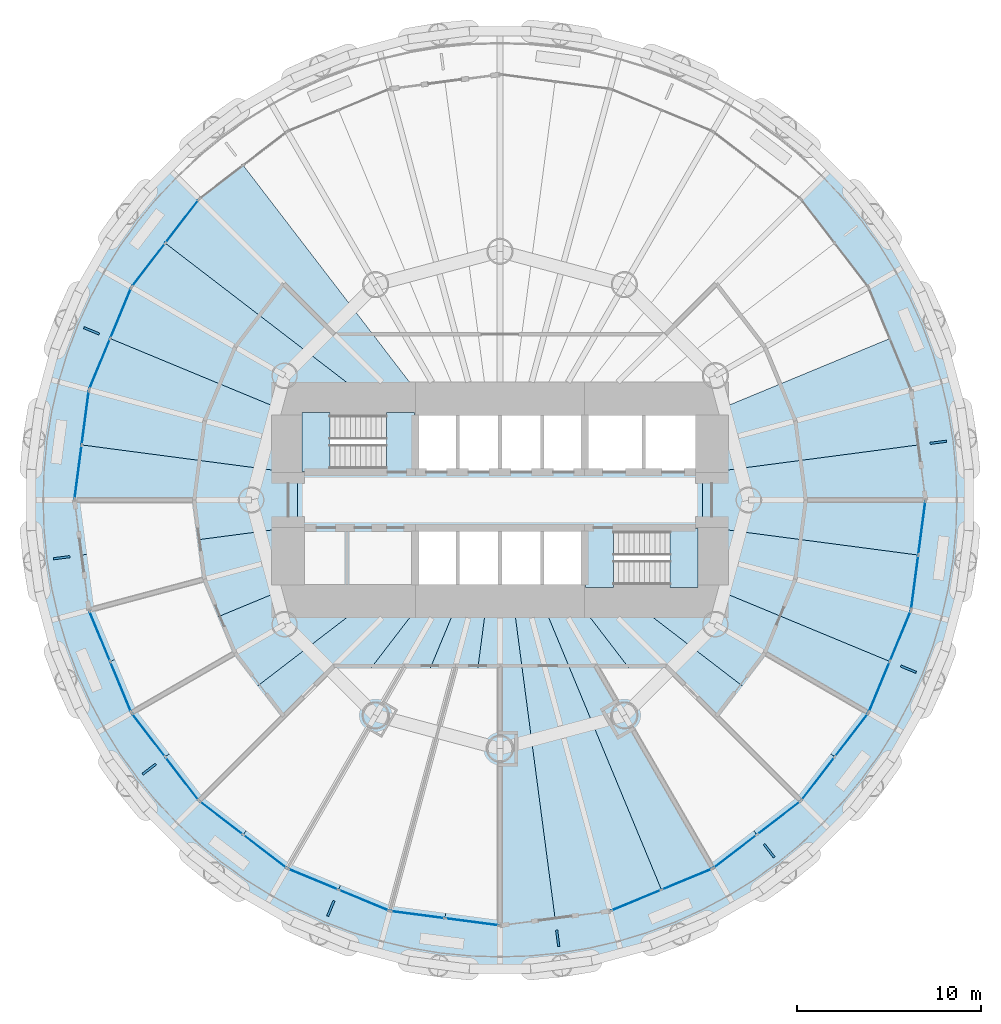
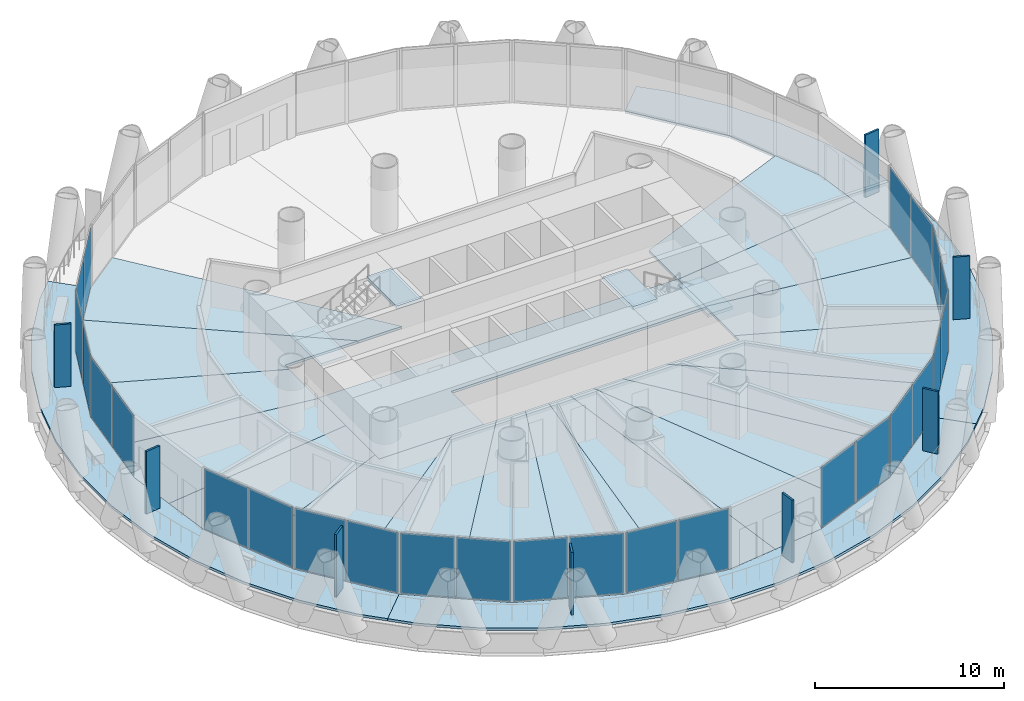
# One storey, part 8 of 16: 34 plates, 25 slabs, 15 elements without a shape of their own.
"""IFC4 building model written with IfcOpenShell, lengths in metres."""

from ifc_helpers import new_model, si_unit, direction, frame, origin, origin_2d, place, context, subcontext, project, spatial, polyline, rectangle, outline, extrude, material, layer, layer_set, type_object, element, aggregate, save


model = new_model("IFC4")

# Units and contexts
model_context = context("Model", 3, precision=1e-05, world=origin(), true_north=direction((0.0, 1.0)))
body_context = subcontext(model_context, "Body", "Model", "MODEL_VIEW")
ifc_project = project(units=[si_unit("LENGTHUNIT", "METRE"), si_unit("AREAUNIT", "SQUARE_METRE"), si_unit("VOLUMEUNIT", "CUBIC_METRE"), si_unit("PLANEANGLEUNIT", "RADIAN"), si_unit("MASSUNIT", "GRAM", prefix="KILO")], contexts=[model_context])

# Site, building, storey
site_placement = place(None, origin())
site = spatial("IfcSite", under=ifc_project, at=site_placement, CompositionType="ELEMENT")
building_placement = place(site_placement, origin())
building = spatial("IfcBuilding", under=site, at=building_placement, Name="Qaws Media Tower", CompositionType="ELEMENT")
storey_placement = place(building_placement, frame((0.0, 0.0, 80.60009765625)))
storey = spatial("IfcBuildingStorey", under=building, at=storey_placement, Name="L17", CompositionType="ELEMENT", Elevation=80.60009765625)

# Slabs
ifc_material_1 = material(Name="Concrete C35/45", Category="concrete")
ifc_layer_1 = layer(ifc_material_1, 0.159912109375)
ifc_layer_set_1 = layer_set([ifc_layer_1], Name="Composite balcony slab 160")
slab_type_1 = type_object("IfcSlabType", Name="Composite balcony slab 160", PredefinedType="FLOOR", material=ifc_layer_set_1)
slab_1_placement = place(storey_placement, frame((0.0, 0.0, -0.16015625)))
element("IfcSlab", 1, at=slab_1_placement, inside=storey, type_object=slab_type_1, Name="S2 balcony slab L17 R10 to R16, movement joints on R10 and R16", PredefinedType="FLOOR", context=body_context, shape_type="SweptSolid", body=[
    extrude(outline(polyline([(40.828125, 33.186767578125), (38.797607421875, 35.8330078125), (37.129638671875, 38.7216796875), (35.853271484375, 41.80322265625), (34.989990234375, 45.025146484375), (34.5546875, 48.332275390625), (34.5546875, 51.667724609375), (34.989990234375, 54.974853515625), (35.853271484375, 58.19677734375), (37.129638671875, 61.2783203125), (38.797607421875, 64.1669921875), (40.828125, 66.813232421875), (42.00732421875, 67.99267578125), (43.665771484375, 66.334228515625), (39.994873046875, 61.550048828125), (37.68701171875, 55.978759765625), (36.89990234375, 50.0), (37.68701171875, 44.021240234375), (39.994873046875, 38.449951171875), (43.665771484375, 33.665771484375), (42.00732421875, 32.00732421875), (40.828125, 33.186767578125)])), origin(), (0.0, 0.0, 1.0), 0.16015625),
])
slab_2_placement = place(storey_placement, frame((0.0, 0.0, -0.16015625)))
element("IfcSlab", 2, at=slab_2_placement, inside=storey, type_object=slab_type_1, Name="S2 balcony slab L17 R16 to R22, movement joints on R16 and R22", PredefinedType="FLOOR", context=body_context, shape_type="SweptSolid", body=[
    extrude(outline(polyline([(76.813232421875, 30.828125), (74.1669921875, 28.797607421875), (71.2783203125, 27.129638671875), (68.19677734375, 25.853271484375), (64.974853515625, 24.989990234375), (61.667724609375, 24.5546875), (58.332275390625, 24.5546875), (55.025146484375, 24.989990234375), (51.80322265625, 25.853271484375), (48.7216796875, 27.129638671875), (45.8330078125, 28.797607421875), (43.186767578125, 30.828125), (42.00732421875, 32.00732421875), (43.665771484375, 33.665771484375), (48.449951171875, 29.994873046875), (54.021240234375, 27.68701171875), (60.0, 26.89990234375), (65.978759765625, 27.68701171875), (71.550048828125, 29.994873046875), (76.334228515625, 33.665771484375), (77.99267578125, 32.00732421875), (76.813232421875, 30.828125)])), origin(), (0.0, 0.0, 1.0), 0.16015625),
])
slab_3_placement = place(storey_placement, frame((0.0, 0.0, -0.16015625)))
element("IfcSlab", 3, at=slab_3_placement, inside=storey, type_object=slab_type_1, Name="S2 balcony slab L17 R22 to R04, movement joints on R22 and R04", PredefinedType="FLOOR", context=body_context, shape_type="SweptSolid", body=[
    extrude(outline(polyline([(85.010009765625, 45.025146484375), (84.146728515625, 41.80322265625), (82.870361328125, 38.7216796875), (81.202392578125, 35.8330078125), (79.171875, 33.186767578125), (77.99267578125, 32.00732421875), (76.334228515625, 33.665771484375), (80.005126953125, 38.449951171875), (82.31298828125, 44.021240234375), (83.10009765625, 50.0), (82.31298828125, 55.978759765625), (80.005126953125, 61.550048828125), (76.334228515625, 66.334228515625), (77.99267578125, 67.99267578125), (79.171875, 66.813232421875), (81.202392578125, 64.1669921875), (82.870361328125, 61.2783203125), (84.146728515625, 58.19677734375), (85.010009765625, 54.974853515625), (85.4453125, 51.667724609375), (85.4453125, 48.332275390625), (85.010009765625, 45.025146484375)])), origin(), (0.0, 0.0, 1.0), 0.16015625),
])
ifc_material_2 = material(Name="Concrete C35/45", Category="concrete")
ifc_layer_2 = layer(ifc_material_2, 0.159912109375)
ifc_layer_set_2 = layer_set([ifc_layer_2], Name="Composite floor slab 160")
slab_type_2 = type_object("IfcSlabType", Name="Composite floor slab 160", PredefinedType="FLOOR", material=ifc_layer_set_2)
slab_4_placement = place(storey_placement, frame((0.0, 0.0, -0.16015625)))
element("IfcSlab", 4, at=slab_4_placement, inside=storey, type_object=slab_type_2, Name="S1 core floor slab L17", PredefinedType="FLOOR", context=body_context, shape_type="SweptSolid", body=[
    extrude(outline(polyline([(71.0, 51.5), (71.0, 48.5), (55.39990234375, 48.5), (55.39990234375, 45.0), (49.0, 45.0), (49.0, 51.5), (71.0, 51.5)])), origin(), (0.0, 0.0, 1.0), 0.16015625),
])
slab_5_placement = place(storey_placement, frame((0.0, 0.0, -0.16015625)))
element("IfcSlab", 5, at=slab_5_placement, inside=storey, type_object=slab_type_2, Name="S1 floor panel L17 on R01", PredefinedType="FLOOR", context=body_context, shape_type="SweptSolid", body=[
    extrude(outline(polyline([(83.10009765625, 50.0), (82.706298828125, 47.010498046875), (71.0, 48.5517578125), (71.0, 51.4482421875), (82.706298828125, 52.989501953125), (83.10009765625, 50.0)])), origin(), (0.0, 0.0, 1.0), 0.16015625),
])
slab_6_placement = place(storey_placement, frame((0.0, 0.0, -0.16015625)))
element("IfcSlab", 6, at=slab_6_placement, inside=storey, type_object=slab_type_2, Name="S1 floor panel L17 on R02", PredefinedType="FLOOR", context=body_context, shape_type="SweptSolid", body=[
    extrude(outline(polyline([(82.31298828125, 55.978759765625), (82.706298828125, 52.989501953125), (71.0, 51.4482421875), (71.0, 54.556396484375), (81.158935546875, 58.764404296875), (82.31298828125, 55.978759765625)])), origin(), (0.0, 0.0, 1.0), 0.16015625),
])
slab_7_placement = place(storey_placement, frame((0.0, 0.0, -0.16015625)))
element("IfcSlab", 7, at=slab_7_placement, inside=storey, type_object=slab_type_2, Name="S1 floor panel L17 on R10", PredefinedType="FLOOR", context=body_context, shape_type="SweptSolid", body=[
    extrude(outline(polyline([(43.665771484375, 66.334228515625), (46.057861328125, 68.169677734375), (56.163330078125, 55.0), (53.48388671875, 55.0), (41.830322265625, 63.942138671875), (43.665771484375, 66.334228515625)])), origin(), (0.0, 0.0, 1.0), 0.16015625),
])
slab_8_placement = place(storey_placement, frame((0.0, 0.0, -0.16015625)))
element("IfcSlab", 8, at=slab_8_placement, inside=storey, type_object=slab_type_2, Name="S1 floor panel L17 on R11", PredefinedType="FLOOR", context=body_context, shape_type="SweptSolid", body=[
    extrude(outline(polyline([(39.994873046875, 61.550048828125), (41.830322265625, 63.942138671875), (53.48388671875, 55.0), (49.0, 55.0), (49.0, 54.556396484375), (38.841064453125, 58.764404296875), (39.994873046875, 61.550048828125)])), origin(), (0.0, 0.0, 1.0), 0.16015625),
])
slab_9_placement = place(storey_placement, frame((0.0, 0.0, -0.16015625)))
element("IfcSlab", 9, at=slab_9_placement, inside=storey, type_object=slab_type_2, Name="S1 floor panel L17 on R12", PredefinedType="FLOOR", context=body_context, shape_type="SweptSolid", body=[
    extrude(outline(polyline([(37.68701171875, 55.978759765625), (38.841064453125, 58.764404296875), (49.0, 54.556396484375), (49.0, 51.4482421875), (37.293701171875, 52.989501953125), (37.68701171875, 55.978759765625)])), origin(), (0.0, 0.0, 1.0), 0.16015625),
])
slab_10_placement = place(storey_placement, frame((0.0, 0.0, -0.16015625)))
element("IfcSlab", 10, at=slab_10_placement, inside=storey, type_object=slab_type_2, Name="S1 floor panel L17 on R13", PredefinedType="FLOOR", context=body_context, shape_type="SweptSolid", body=[
    extrude(outline(polyline([(36.89990234375, 50.0), (37.293701171875, 52.989501953125), (49.0, 51.4482421875), (49.0, 48.5517578125), (37.293701171875, 47.010498046875), (36.89990234375, 50.0)])), origin(), (0.0, 0.0, 1.0), 0.16015625),
])
slab_11_placement = place(storey_placement, frame((0.0, 0.0, -0.16015625)))
element("IfcSlab", 11, at=slab_11_placement, inside=storey, type_object=slab_type_2, Name="S1 floor panel L17 on R14", PredefinedType="FLOOR", context=body_context, shape_type="SweptSolid", body=[
    extrude(outline(polyline([(37.68701171875, 44.021240234375), (37.293701171875, 47.010498046875), (49.0, 48.5517578125), (49.0, 45.443603515625), (38.841064453125, 41.235595703125), (37.68701171875, 44.021240234375)])), origin(), (0.0, 0.0, 1.0), 0.16015625),
])
slab_12_placement = place(storey_placement, frame((0.0, 0.0, -0.16015625)))
element("IfcSlab", 12, at=slab_12_placement, inside=storey, type_object=slab_type_2, Name="S1 floor panel L17 on R15", PredefinedType="FLOOR", context=body_context, shape_type="SweptSolid", body=[
    extrude(outline(polyline([(39.994873046875, 38.449951171875), (38.841064453125, 41.235595703125), (49.0, 45.443603515625), (49.0, 45.0), (53.48388671875, 45.0), (41.830322265625, 36.057861328125), (39.994873046875, 38.449951171875)])), origin(), (0.0, 0.0, 1.0), 0.16015625),
])
slab_13_placement = place(storey_placement, frame((0.0, 0.0, -0.16015625)))
element("IfcSlab", 13, at=slab_13_placement, inside=storey, type_object=slab_type_2, Name="S1 floor panel L17 on R16", PredefinedType="FLOOR", context=body_context, shape_type="SweptSolid", body=[
    extrude(outline(polyline([(43.665771484375, 33.665771484375), (41.830322265625, 36.057861328125), (53.48388671875, 45.0), (56.163330078125, 45.0), (46.057861328125, 31.830322265625), (43.665771484375, 33.665771484375)])), origin(), (0.0, 0.0, 1.0), 0.16015625),
])
slab_14_placement = place(storey_placement, frame((0.0, 0.0, -0.16015625)))
element("IfcSlab", 14, at=slab_14_placement, inside=storey, type_object=slab_type_2, Name="S1 floor panel L17 on R17", PredefinedType="FLOOR", context=body_context, shape_type="SweptSolid", body=[
    extrude(outline(polyline([(48.449951171875, 29.994873046875), (46.057861328125, 31.830322265625), (56.163330078125, 45.0), (57.928955078125, 45.0), (51.235595703125, 28.841064453125), (48.449951171875, 29.994873046875)])), origin(), (0.0, 0.0, 1.0), 0.16015625),
])
slab_15_placement = place(storey_placement, frame((0.0, 0.0, -0.16015625)))
element("IfcSlab", 15, at=slab_15_placement, inside=storey, type_object=slab_type_2, Name="S1 floor panel L17 on R18", PredefinedType="FLOOR", context=body_context, shape_type="SweptSolid", body=[
    extrude(outline(polyline([(54.021240234375, 27.68701171875), (51.235595703125, 28.841064453125), (57.928955078125, 45.0), (59.341796875, 45.0), (57.010498046875, 27.293701171875), (54.021240234375, 27.68701171875)])), origin(), (0.0, 0.0, 1.0), 0.16015625),
])
slab_16_placement = place(storey_placement, frame((0.0, 0.0, -0.16015625)))
element("IfcSlab", 16, at=slab_16_placement, inside=storey, type_object=slab_type_2, Name="S1 floor panel L17 on R19", PredefinedType="FLOOR", context=body_context, shape_type="SweptSolid", body=[
    extrude(outline(polyline([(60.0, 26.89990234375), (57.010498046875, 27.293701171875), (59.341796875, 45.0), (60.658203125, 45.0), (62.989501953125, 27.293701171875), (60.0, 26.89990234375)])), origin(), (0.0, 0.0, 1.0), 0.16015625),
])
slab_17_placement = place(storey_placement, frame((0.0, 0.0, -0.16015625)))
element("IfcSlab", 17, at=slab_17_placement, inside=storey, type_object=slab_type_2, Name="S1 floor panel L17 on R20", PredefinedType="FLOOR", context=body_context, shape_type="SweptSolid", body=[
    extrude(outline(polyline([(65.978759765625, 27.68701171875), (62.989501953125, 27.293701171875), (60.658203125, 45.0), (62.071044921875, 45.0), (68.764404296875, 28.841064453125), (65.978759765625, 27.68701171875)])), origin(), (0.0, 0.0, 1.0), 0.16015625),
])
slab_18_placement = place(storey_placement, frame((0.0, 0.0, -0.16015625)))
element("IfcSlab", 18, at=slab_18_placement, inside=storey, type_object=slab_type_2, Name="S1 floor panel L17 on R21", PredefinedType="FLOOR", context=body_context, shape_type="SweptSolid", body=[
    extrude(outline(polyline([(71.550048828125, 29.994873046875), (68.764404296875, 28.841064453125), (62.071044921875, 45.0), (63.836669921875, 45.0), (73.942138671875, 31.830322265625), (71.550048828125, 29.994873046875)])), origin(), (0.0, 0.0, 1.0), 0.16015625),
])
slab_19_placement = place(storey_placement, frame((0.0, 0.0, -0.16015625)))
element("IfcSlab", 19, at=slab_19_placement, inside=storey, type_object=slab_type_2, Name="S1 floor panel L17 on R22", PredefinedType="FLOOR", context=body_context, shape_type="SweptSolid", body=[
    extrude(outline(polyline([(76.334228515625, 33.665771484375), (73.942138671875, 31.830322265625), (63.836669921875, 45.0), (66.51611328125, 45.0), (78.169677734375, 36.057861328125), (76.334228515625, 33.665771484375)])), origin(), (0.0, 0.0, 1.0), 0.16015625),
])
slab_20_placement = place(storey_placement, frame((0.0, 0.0, -0.16015625)))
element("IfcSlab", 20, at=slab_20_placement, inside=storey, type_object=slab_type_2, Name="S1 floor panel L17 on R23", PredefinedType="FLOOR", context=body_context, shape_type="SweptSolid", body=[
    extrude(outline(polyline([(80.005126953125, 38.449951171875), (78.169677734375, 36.057861328125), (66.51611328125, 45.0), (71.0, 45.0), (71.0, 45.443603515625), (81.158935546875, 41.235595703125), (80.005126953125, 38.449951171875)])), origin(), (0.0, 0.0, 1.0), 0.16015625),
])
slab_21_placement = place(storey_placement, frame((0.0, 0.0, -0.16015625)))
element("IfcSlab", 21, at=slab_21_placement, inside=storey, type_object=slab_type_2, Name="S1 floor panel L17 on R24", PredefinedType="FLOOR", context=body_context, shape_type="SweptSolid", body=[
    extrude(outline(polyline([(81.158935546875, 41.235595703125), (71.0, 45.443603515625), (71.0, 48.5517578125), (82.706298828125, 47.010498046875), (82.31298828125, 44.021240234375), (81.158935546875, 41.235595703125)])), origin(), (0.0, 0.0, 1.0), 0.16015625),
])

# Curtain wall, plates
ifc_material_3 = material(Name="Aluminium and clear glass", Category="aluminium")
curtain_wall_type = type_object("IfcCurtainWallType", Name="Unitised curtain wall CW-A", PredefinedType="NOTDEFINED", material=ifc_material_3)
curtain_wall_1_placement = place(storey_placement, origin())
curtain_wall_1 = element("IfcCurtainWall", 22, at=curtain_wall_1_placement, inside=storey, type_object=curtain_wall_type, Name="CWA curtain wall L17-10", PredefinedType="NOTDEFINED")
ifc_material_4 = material(Name="Clear laminated double glazing", Category="glass")
ifc_layer_3 = layer(ifc_material_4, 0.031982421875)
ifc_layer_set_3 = layer_set([ifc_layer_3], Name="Curtain wall glass unit 32")
plate_type_1 = type_object("IfcPlateType", Name="Curtain wall glass unit 32", PredefinedType="CURTAIN_PANEL", material=ifc_layer_set_3)
plate_1_placement = place(storey_placement, frame((42.73583984375, 65.122314453125, 0.080078125), z_axis=(0.0, 0.0, 1.0), x_axis=(-0.608761381612, -0.79335337666, 0.0)))
plate_1 = element("IfcPlate", 23, at=plate_1_placement, type_object=plate_type_1, Name="CWA panel 1.1", PredefinedType="CURTAIN_PANEL", context=body_context, shape_type="SweptSolid", body=[
    extrude(rectangle(XDim=2.895263671875, YDim=0.031982421875, at=origin_2d()), origin(), (0.0, 0.0, 1.0), 3.8798828125),
])
plate_2_placement = place(storey_placement, frame((40.9248046875, 62.761962890625, 0.080078125), z_axis=(0.0, 0.0, 1.0), x_axis=(-0.608761381612, -0.79335337666, 0.0)))
plate_2 = element("IfcPlate", 24, at=plate_2_placement, type_object=plate_type_1, Name="CWA panel 2.1", PredefinedType="CURTAIN_PANEL", context=body_context, shape_type="SweptSolid", body=[
    extrude(rectangle(XDim=2.895263671875, YDim=0.031982421875, at=origin_2d()), origin(), (0.0, 0.0, 1.0), 3.8798828125),
])
aggregate(curtain_wall_1, [plate_1, plate_2])

curtain_wall_2_placement = place(storey_placement, origin())
curtain_wall_2 = element("IfcCurtainWall", 25, at=curtain_wall_2_placement, inside=storey, type_object=curtain_wall_type, Name="CWA curtain wall L17-11", PredefinedType="NOTDEFINED")
plate_3_placement = place(storey_placement, frame((39.41015625, 60.138671875, 0.080078125), z_axis=(0.0, 0.0, 1.0), x_axis=(-0.382683469758, -0.923879517022, 0.0)))
plate_3 = element("IfcPlate", 26, at=plate_3_placement, type_object=plate_type_1, Name="CWA panel 1.1", PredefinedType="CURTAIN_PANEL", context=body_context, shape_type="SweptSolid", body=[
    extrude(rectangle(XDim=2.895263671875, YDim=0.031982421875, at=origin_2d()), origin(), (0.0, 0.0, 1.0), 3.8798828125),
])
plate_4_placement = place(storey_placement, frame((38.271728515625, 57.39013671875, 0.080078125), z_axis=(0.0, 0.0, 1.0), x_axis=(-0.382683469758, -0.923879517022, 0.0)))
plate_4 = element("IfcPlate", 27, at=plate_4_placement, type_object=plate_type_1, Name="CWA panel 2.1", PredefinedType="CURTAIN_PANEL", context=body_context, shape_type="SweptSolid", body=[
    extrude(rectangle(XDim=2.895263671875, YDim=0.031982421875, at=origin_2d()), origin(), (0.0, 0.0, 1.0), 3.8798828125),
])
aggregate(curtain_wall_2, [plate_3, plate_4])

curtain_wall_3_placement = place(storey_placement, origin())
curtain_wall_3 = element("IfcCurtainWall", 28, at=curtain_wall_3_placement, inside=storey, type_object=curtain_wall_type, Name="CWA curtain wall L17-12", PredefinedType="NOTDEFINED")
plate_5_placement = place(storey_placement, frame((37.48779296875, 54.464111328125, 0.080078125), z_axis=(0.0, 0.0, 1.0), x_axis=(-0.130526123696, -0.991444870395, 0.0)))
plate_5 = element("IfcPlate", 29, at=plate_5_placement, type_object=plate_type_1, Name="CWA panel 1.1", PredefinedType="CURTAIN_PANEL", context=body_context, shape_type="SweptSolid", body=[
    extrude(rectangle(XDim=2.895263671875, YDim=0.031982421875, at=origin_2d()), origin(), (0.0, 0.0, 1.0), 3.8798828125),
])
plate_6_placement = place(storey_placement, frame((37.099365234375, 51.514404296875, 0.080078125), z_axis=(0.0, 0.0, 1.0), x_axis=(-0.130526123696, -0.991444870395, 0.0)))
plate_6 = element("IfcPlate", 30, at=plate_6_placement, type_object=plate_type_1, Name="CWA panel 2.1", PredefinedType="CURTAIN_PANEL", context=body_context, shape_type="SweptSolid", body=[
    extrude(rectangle(XDim=2.895263671875, YDim=0.031982421875, at=origin_2d()), origin(), (0.0, 0.0, 1.0), 3.8798828125),
])
aggregate(curtain_wall_3, [plate_5, plate_6])

curtain_wall_4_placement = place(storey_placement, origin())
curtain_wall_4 = element("IfcCurtainWall", 31, at=curtain_wall_4_placement, inside=storey, type_object=curtain_wall_type, Name="CWA curtain wall L17-14", PredefinedType="NOTDEFINED")
plate_7_placement = place(storey_placement, frame((38.271728515625, 42.60986328125, 0.080078125), z_axis=(0.0, 0.0, 1.0), x_axis=(0.382683469758, -0.923879517022, 0.0)))
plate_7 = element("IfcPlate", 32, at=plate_7_placement, type_object=plate_type_1, Name="CWA panel 1.1", PredefinedType="CURTAIN_PANEL", context=body_context, shape_type="SweptSolid", body=[
    extrude(rectangle(XDim=2.895263671875, YDim=0.031982421875, at=origin_2d()), origin(), (0.0, 0.0, 1.0), 3.8798828125),
])
plate_8_placement = place(storey_placement, frame((39.41015625, 39.861328125, 0.080078125), z_axis=(0.0, 0.0, 1.0), x_axis=(0.382683469758, -0.923879517022, 0.0)))
plate_8 = element("IfcPlate", 33, at=plate_8_placement, type_object=plate_type_1, Name="CWA panel 2.1", PredefinedType="CURTAIN_PANEL", context=body_context, shape_type="SweptSolid", body=[
    extrude(rectangle(XDim=2.895263671875, YDim=0.031982421875, at=origin_2d()), origin(), (0.0, 0.0, 1.0), 3.8798828125),
])
aggregate(curtain_wall_4, [plate_7, plate_8])

curtain_wall_5_placement = place(storey_placement, origin())
curtain_wall_5 = element("IfcCurtainWall", 34, at=curtain_wall_5_placement, inside=storey, type_object=curtain_wall_type, Name="CWA curtain wall L17-15", PredefinedType="NOTDEFINED")
plate_9_placement = place(storey_placement, frame((40.9248046875, 37.238037109375, 0.080078125), z_axis=(0.0, 0.0, 1.0), x_axis=(0.608761381612, -0.79335337666, 0.0)))
plate_9 = element("IfcPlate", 35, at=plate_9_placement, type_object=plate_type_1, Name="CWA panel 1.1", PredefinedType="CURTAIN_PANEL", context=body_context, shape_type="SweptSolid", body=[
    extrude(rectangle(XDim=2.895263671875, YDim=0.031982421875, at=origin_2d()), origin(), (0.0, 0.0, 1.0), 3.8798828125),
])
plate_10_placement = place(storey_placement, frame((42.73583984375, 34.877685546875, 0.080078125), z_axis=(0.0, 0.0, 1.0), x_axis=(0.608761381612, -0.79335337666, 0.0)))
plate_10 = element("IfcPlate", 36, at=plate_10_placement, type_object=plate_type_1, Name="CWA panel 2.1", PredefinedType="CURTAIN_PANEL", context=body_context, shape_type="SweptSolid", body=[
    extrude(rectangle(XDim=2.895263671875, YDim=0.031982421875, at=origin_2d()), origin(), (0.0, 0.0, 1.0), 3.8798828125),
])
aggregate(curtain_wall_5, [plate_9, plate_10])

curtain_wall_6_placement = place(storey_placement, origin())
curtain_wall_6 = element("IfcCurtainWall", 37, at=curtain_wall_6_placement, inside=storey, type_object=curtain_wall_type, Name="CWA curtain wall L17-16", PredefinedType="NOTDEFINED")
plate_11_placement = place(storey_placement, frame((44.877685546875, 32.73583984375, 0.080078125), z_axis=(0.0, 0.0, 1.0), x_axis=(0.79335337666, -0.608761381612, 0.0)))
plate_11 = element("IfcPlate", 38, at=plate_11_placement, type_object=plate_type_1, Name="CWA panel 1.1", PredefinedType="CURTAIN_PANEL", context=body_context, shape_type="SweptSolid", body=[
    extrude(rectangle(XDim=2.895263671875, YDim=0.031982421875, at=origin_2d()), origin(), (0.0, 0.0, 1.0), 3.8798828125),
])
plate_12_placement = place(storey_placement, frame((47.238037109375, 30.9248046875, 0.080078125), z_axis=(0.0, 0.0, 1.0), x_axis=(0.79335337666, -0.608761381612, 0.0)))
plate_12 = element("IfcPlate", 39, at=plate_12_placement, type_object=plate_type_1, Name="CWA panel 2.1", PredefinedType="CURTAIN_PANEL", context=body_context, shape_type="SweptSolid", body=[
    extrude(rectangle(XDim=2.895263671875, YDim=0.031982421875, at=origin_2d()), origin(), (0.0, 0.0, 1.0), 3.8798828125),
])
aggregate(curtain_wall_6, [plate_11, plate_12])

curtain_wall_7_placement = place(storey_placement, origin())
curtain_wall_7 = element("IfcCurtainWall", 40, at=curtain_wall_7_placement, inside=storey, type_object=curtain_wall_type, Name="CWA curtain wall L17-17", PredefinedType="NOTDEFINED")
plate_13_placement = place(storey_placement, frame((49.861328125, 29.41015625, 0.080078125), z_axis=(0.0, 0.0, 1.0), x_axis=(0.923879517022, -0.382683469758, 0.0)))
plate_13 = element("IfcPlate", 41, at=plate_13_placement, type_object=plate_type_1, Name="CWA panel 1.1", PredefinedType="CURTAIN_PANEL", context=body_context, shape_type="SweptSolid", body=[
    extrude(rectangle(XDim=2.895263671875, YDim=0.031982421875, at=origin_2d()), origin(), (0.0, 0.0, 1.0), 3.8798828125),
])
plate_14_placement = place(storey_placement, frame((52.60986328125, 28.271728515625, 0.080078125), z_axis=(0.0, 0.0, 1.0), x_axis=(0.923879517022, -0.382683469758, 0.0)))
plate_14 = element("IfcPlate", 42, at=plate_14_placement, type_object=plate_type_1, Name="CWA panel 2.1", PredefinedType="CURTAIN_PANEL", context=body_context, shape_type="SweptSolid", body=[
    extrude(rectangle(XDim=2.895263671875, YDim=0.031982421875, at=origin_2d()), origin(), (0.0, 0.0, 1.0), 3.8798828125),
])
aggregate(curtain_wall_7, [plate_13, plate_14])

curtain_wall_8_placement = place(storey_placement, origin())
curtain_wall_8 = element("IfcCurtainWall", 43, at=curtain_wall_8_placement, inside=storey, type_object=curtain_wall_type, Name="CWA curtain wall L17-18", PredefinedType="NOTDEFINED")
plate_15_placement = place(storey_placement, frame((55.535888671875, 27.48779296875, 0.080078125), z_axis=(0.0, 0.0, 1.0), x_axis=(0.991444870395, -0.130526123696, 0.0)))
plate_15 = element("IfcPlate", 44, at=plate_15_placement, type_object=plate_type_1, Name="CWA panel 1.1", PredefinedType="CURTAIN_PANEL", context=body_context, shape_type="SweptSolid", body=[
    extrude(rectangle(XDim=2.895263671875, YDim=0.031982421875, at=origin_2d()), origin(), (0.0, 0.0, 1.0), 3.8798828125),
])
plate_16_placement = place(storey_placement, frame((58.485595703125, 27.099365234375, 0.080078125), z_axis=(0.0, 0.0, 1.0), x_axis=(0.991444870395, -0.130526123696, 0.0)))
plate_16 = element("IfcPlate", 45, at=plate_16_placement, type_object=plate_type_1, Name="CWA panel 2.1", PredefinedType="CURTAIN_PANEL", context=body_context, shape_type="SweptSolid", body=[
    extrude(rectangle(XDim=2.895263671875, YDim=0.031982421875, at=origin_2d()), origin(), (0.0, 0.0, 1.0), 3.8798828125),
])
aggregate(curtain_wall_8, [plate_15, plate_16])

curtain_wall_9_placement = place(storey_placement, origin())
curtain_wall_9 = element("IfcCurtainWall", 46, at=curtain_wall_9_placement, inside=storey, type_object=curtain_wall_type, Name="CWA curtain wall L17-20", PredefinedType="NOTDEFINED")
plate_17_placement = place(storey_placement, frame((67.39013671875, 28.271728515625, 0.080078125), z_axis=(0.0, 0.0, 1.0), x_axis=(0.923879517022, 0.382683469758, 0.0)))
plate_17 = element("IfcPlate", 47, at=plate_17_placement, type_object=plate_type_1, Name="CWA panel 1.1", PredefinedType="CURTAIN_PANEL", context=body_context, shape_type="SweptSolid", body=[
    extrude(rectangle(XDim=2.895263671875, YDim=0.031982421875, at=origin_2d()), origin(), (0.0, 0.0, 1.0), 3.8798828125),
])
plate_18_placement = place(storey_placement, frame((70.138671875, 29.41015625, 0.080078125), z_axis=(0.0, 0.0, 1.0), x_axis=(0.923879517022, 0.382683469758, 0.0)))
plate_18 = element("IfcPlate", 48, at=plate_18_placement, type_object=plate_type_1, Name="CWA panel 2.1", PredefinedType="CURTAIN_PANEL", context=body_context, shape_type="SweptSolid", body=[
    extrude(rectangle(XDim=2.895263671875, YDim=0.031982421875, at=origin_2d()), origin(), (0.0, 0.0, 1.0), 3.8798828125),
])
aggregate(curtain_wall_9, [plate_17, plate_18])

curtain_wall_10_placement = place(storey_placement, origin())
curtain_wall_10 = element("IfcCurtainWall", 49, at=curtain_wall_10_placement, inside=storey, type_object=curtain_wall_type, Name="CWA curtain wall L17-21", PredefinedType="NOTDEFINED")
plate_19_placement = place(storey_placement, frame((72.761962890625, 30.9248046875, 0.080078125), z_axis=(0.0, 0.0, 1.0), x_axis=(0.79335337666, 0.608761381612, 0.0)))
plate_19 = element("IfcPlate", 50, at=plate_19_placement, type_object=plate_type_1, Name="CWA panel 1.1", PredefinedType="CURTAIN_PANEL", context=body_context, shape_type="SweptSolid", body=[
    extrude(rectangle(XDim=2.895263671875, YDim=0.031982421875, at=origin_2d()), origin(), (0.0, 0.0, 1.0), 3.8798828125),
])
plate_20_placement = place(storey_placement, frame((75.122314453125, 32.73583984375, 0.080078125), z_axis=(0.0, 0.0, 1.0), x_axis=(0.79335337666, 0.608761381612, 0.0)))
plate_20 = element("IfcPlate", 51, at=plate_20_placement, type_object=plate_type_1, Name="CWA panel 2.1", PredefinedType="CURTAIN_PANEL", context=body_context, shape_type="SweptSolid", body=[
    extrude(rectangle(XDim=2.895263671875, YDim=0.031982421875, at=origin_2d()), origin(), (0.0, 0.0, 1.0), 3.8798828125),
])
aggregate(curtain_wall_10, [plate_19, plate_20])

curtain_wall_11_placement = place(storey_placement, origin())
curtain_wall_11 = element("IfcCurtainWall", 52, at=curtain_wall_11_placement, inside=storey, type_object=curtain_wall_type, Name="CWA curtain wall L17-22", PredefinedType="NOTDEFINED")
plate_21_placement = place(storey_placement, frame((77.26416015625, 34.877685546875, 0.080078125), z_axis=(0.0, 0.0, 1.0), x_axis=(0.608761381612, 0.79335337666, 0.0)))
plate_21 = element("IfcPlate", 53, at=plate_21_placement, type_object=plate_type_1, Name="CWA panel 1.1", PredefinedType="CURTAIN_PANEL", context=body_context, shape_type="SweptSolid", body=[
    extrude(rectangle(XDim=2.895263671875, YDim=0.031982421875, at=origin_2d()), origin(), (0.0, 0.0, 1.0), 3.8798828125),
])
plate_22_placement = place(storey_placement, frame((79.0751953125, 37.238037109375, 0.080078125), z_axis=(0.0, 0.0, 1.0), x_axis=(0.608761381612, 0.79335337666, 0.0)))
plate_22 = element("IfcPlate", 54, at=plate_22_placement, type_object=plate_type_1, Name="CWA panel 2.1", PredefinedType="CURTAIN_PANEL", context=body_context, shape_type="SweptSolid", body=[
    extrude(rectangle(XDim=2.895263671875, YDim=0.031982421875, at=origin_2d()), origin(), (0.0, 0.0, 1.0), 3.8798828125),
])
aggregate(curtain_wall_11, [plate_21, plate_22])

curtain_wall_12_placement = place(storey_placement, origin())
curtain_wall_12 = element("IfcCurtainWall", 55, at=curtain_wall_12_placement, inside=storey, type_object=curtain_wall_type, Name="CWA curtain wall L17-23", PredefinedType="NOTDEFINED")
plate_23_placement = place(storey_placement, frame((80.58984375, 39.861328125, 0.080078125), z_axis=(0.0, 0.0, 1.0), x_axis=(0.382683469758, 0.923879517022, 0.0)))
plate_23 = element("IfcPlate", 56, at=plate_23_placement, type_object=plate_type_1, Name="CWA panel 1.1", PredefinedType="CURTAIN_PANEL", context=body_context, shape_type="SweptSolid", body=[
    extrude(rectangle(XDim=2.895263671875, YDim=0.031982421875, at=origin_2d()), origin(), (0.0, 0.0, 1.0), 3.8798828125),
])
plate_24_placement = place(storey_placement, frame((81.728271484375, 42.60986328125, 0.080078125), z_axis=(0.0, 0.0, 1.0), x_axis=(0.382683469758, 0.923879517022, 0.0)))
plate_24 = element("IfcPlate", 57, at=plate_24_placement, type_object=plate_type_1, Name="CWA panel 2.1", PredefinedType="CURTAIN_PANEL", context=body_context, shape_type="SweptSolid", body=[
    extrude(rectangle(XDim=2.895263671875, YDim=0.031982421875, at=origin_2d()), origin(), (0.0, 0.0, 1.0), 3.8798828125),
])
aggregate(curtain_wall_12, [plate_23, plate_24])

curtain_wall_13_placement = place(storey_placement, origin())
curtain_wall_13 = element("IfcCurtainWall", 58, at=curtain_wall_13_placement, inside=storey, type_object=curtain_wall_type, Name="CWA curtain wall L17-24", PredefinedType="NOTDEFINED")
plate_25_placement = place(storey_placement, frame((82.51220703125, 45.535888671875, 0.080078125), z_axis=(0.0, 0.0, 1.0), x_axis=(0.130526123696, 0.991444870395, 0.0)))
plate_25 = element("IfcPlate", 59, at=plate_25_placement, type_object=plate_type_1, Name="CWA panel 1.1", PredefinedType="CURTAIN_PANEL", context=body_context, shape_type="SweptSolid", body=[
    extrude(rectangle(XDim=2.895263671875, YDim=0.031982421875, at=origin_2d()), origin(), (0.0, 0.0, 1.0), 3.8798828125),
])
plate_26_placement = place(storey_placement, frame((82.900634765625, 48.485595703125, 0.080078125), z_axis=(0.0, 0.0, 1.0), x_axis=(0.130526123696, 0.991444870395, 0.0)))
plate_26 = element("IfcPlate", 60, at=plate_26_placement, type_object=plate_type_1, Name="CWA panel 2.1", PredefinedType="CURTAIN_PANEL", context=body_context, shape_type="SweptSolid", body=[
    extrude(rectangle(XDim=2.895263671875, YDim=0.031982421875, at=origin_2d()), origin(), (0.0, 0.0, 1.0), 3.8798828125),
])
aggregate(curtain_wall_13, [plate_25, plate_26])

# Plates
ifc_material_5 = material(Name="Precast concrete screen fin", Category="concrete")
ifc_layer_4 = layer(ifc_material_5, 0.1201171875)
ifc_layer_set_4 = layer_set([ifc_layer_4], Name="Screen fin 120x900")
plate_type_2 = type_object("IfcPlateType", Name="Screen fin 120x900", PredefinedType="USERDEFINED", material=ifc_layer_set_4)
for number, where, z_axis, x_axis, name in (
    (61, (83.794677734375, 53.132568359375, 0.0), (0.0, 0.0, 1.0), (0.991444861374, 0.13052619222, 0.0), "SCR1 screen fin L17-01"),
    (62, (37.826904296875, 59.184326171875, 0.0), (0.0, 0.0, 1.0), (-0.923879532511, 0.382683432365, 0.0), "SCR1 screen fin L17-06"),
    (63, (36.205322265625, 46.867431640625, 0.0), (0.0, 0.0, 1.0), (-0.991444861374, -0.13052619222, 0.0), "SCR1 screen fin L17-07"),
    (64, (40.95947265625, 35.3896484375, 0.0), (0.0, 0.0, 1.0), (-0.793353340291, -0.608761429009, 0.0), "SCR1 screen fin L17-08"),
    (65, (50.815673828125, 27.826904296875, 0.0), (0.0, 0.0, 1.0), (-0.382683432365, -0.923879532511, 0.0), "SCR1 screen fin L17-09"),
    (66, (63.132568359375, 26.205322265625, 0.0), (0.0, 0.0, 1.0), (0.13052619222, -0.991444861374, 0.0), "SCR1 screen fin L17-10"),
    (67, (74.6103515625, 30.95947265625, 0.0), (0.0, 0.0, 1.0), (0.608761429009, -0.793353340291, 0.0), "SCR1 screen fin L17-11"),
    (68, (82.173095703125, 40.815673828125, 0.0), (0.0, 0.0, 1.0), (0.923879532511, -0.382683432365, 0.0), "SCR1 screen fin L17-12"),
):
    element("IfcPlate", number, at=place(storey_placement, frame(where, z_axis=z_axis, x_axis=x_axis)), inside=storey, type_object=plate_type_2, Name=name, ObjectType="SCREEN", PredefinedType="USERDEFINED", context=body_context, shape_type="SweptSolid", body=[
        extrude(rectangle(XDim=0.89990234375, YDim=0.1201171875, at=origin_2d()), origin(), (0.0, 0.0, 1.0), 4.0400390625),
    ])

# Stair, slabs
ifc_material_6 = material(Name="Concrete C40/50", Category="concrete")
stair_type = type_object("IfcStairType", Name="Exit stair", PredefinedType="HALF_TURN_STAIR", material=ifc_material_6)
stair_1_placement = place(storey_placement, origin())
stair_1 = element("IfcStair", 69, at=stair_1_placement, inside=storey, type_object=stair_type, Name="S1 exit stair L17", PredefinedType="HALF_TURN_STAIR")
ifc_material_7 = material(Name="Concrete C40/50", Category="concrete")
ifc_layer_5 = layer(ifc_material_7, 0.199951171875)
ifc_layer_set_5 = layer_set([ifc_layer_5], Name="Stair landing 200")
slab_type_3 = type_object("IfcSlabType", Name="Stair landing 200", PredefinedType="LANDING", material=ifc_layer_set_5)
slab_22_placement = place(storey_placement, frame((0.0, 0.0, 1.89990234375)))
slab_22 = element("IfcSlab", 70, at=slab_22_placement, type_object=slab_type_3, Name="S1 landing 1", PredefinedType="LANDING", context=body_context, shape_type="SweptSolid", body=[
    extrude(outline(polyline([(49.25, 51.550048828125), (50.760009765625, 51.550048828125), (50.760009765625, 54.75), (49.25, 54.75), (49.25, 51.550048828125)])), origin(), (0.0, 0.0, 1.0), 0.199951171875),
])
slab_23_placement = place(storey_placement, frame((0.0, 0.0, 4.0)))
slab_23 = element("IfcSlab", 71, at=slab_23_placement, type_object=slab_type_3, Name="S1 landing 2", PredefinedType="LANDING", context=body_context, shape_type="SweptSolid", body=[
    extrude(outline(polyline([(53.840087890625, 51.550048828125), (55.35009765625, 51.550048828125), (55.35009765625, 54.75), (53.840087890625, 54.75), (53.840087890625, 51.550048828125)])), origin(), (0.0, 0.0, 1.0), 0.199951171875),
])
aggregate(stair_1, [slab_22, slab_23])

stair_2_placement = place(storey_placement, origin())
stair_2 = element("IfcStair", 72, at=stair_2_placement, inside=storey, type_object=stair_type, Name="S2 exit stair L17", PredefinedType="HALF_TURN_STAIR")
slab_24_placement = place(storey_placement, frame((0.0, 0.0, 1.89990234375)))
slab_24 = element("IfcSlab", 73, at=slab_24_placement, type_object=slab_type_3, Name="S2 landing 1", PredefinedType="LANDING", context=body_context, shape_type="SweptSolid", body=[
    extrude(outline(polyline([(69.239990234375, 45.25), (70.75, 45.25), (70.75, 48.449951171875), (69.239990234375, 48.449951171875), (69.239990234375, 45.25)])), origin(), (0.0, 0.0, 1.0), 0.199951171875),
])
slab_25_placement = place(storey_placement, frame((0.0, 0.0, 4.0)))
slab_25 = element("IfcSlab", 74, at=slab_25_placement, type_object=slab_type_3, Name="S2 landing 2", PredefinedType="LANDING", context=body_context, shape_type="SweptSolid", body=[
    extrude(outline(polyline([(64.64990234375, 45.25), (66.159912109375, 45.25), (66.159912109375, 48.449951171875), (64.64990234375, 48.449951171875), (64.64990234375, 45.25)])), origin(), (0.0, 0.0, 1.0), 0.199951171875),
])
aggregate(stair_2, [slab_24, slab_25])

save(model, "model.ifc")
